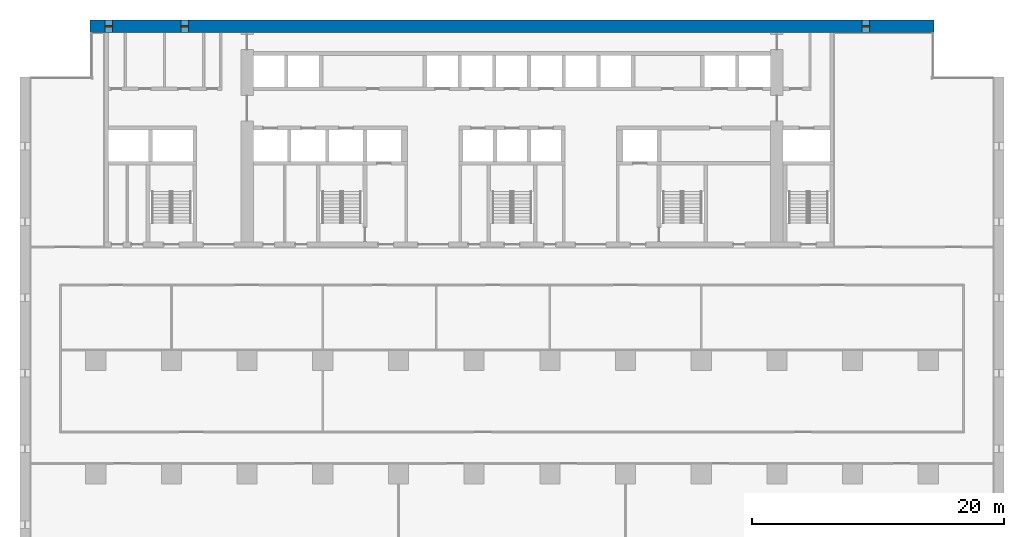
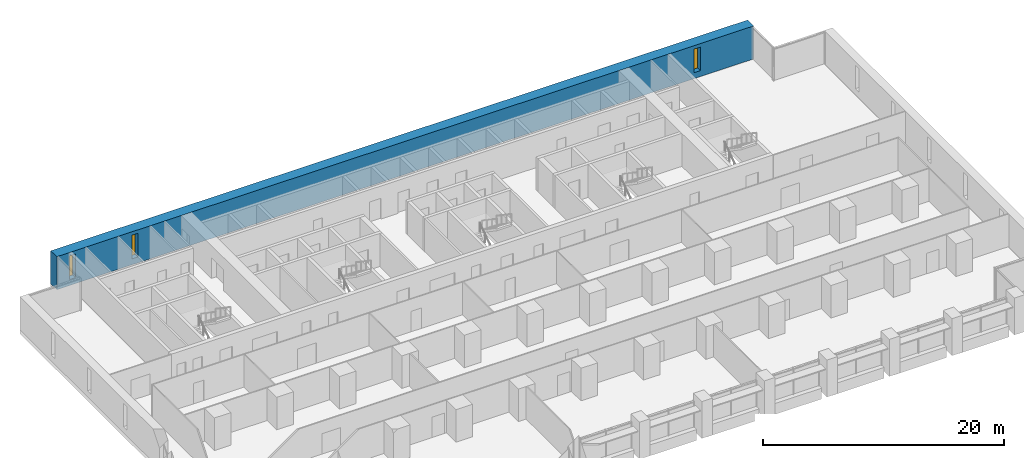
# One storey, part 12 of 17: 3 windows, 1 wall, 3 openings.
"""IFC4 building model written with IfcOpenShell, lengths in metres."""

from ifc_helpers import new_model, si_unit, direction, frame, frame_2d, origin, place, context, subcontext, project, spatial, rectangle, extrude, material, layer, layer_set, type_object, element, fill, save


model = new_model("IFC4")

# Units and contexts
model_context = context("Model", 3, precision=1e-05, world=origin(), true_north=direction((0.0, 1.0)))
body_context = subcontext(model_context, "Body", "Model", "MODEL_VIEW")
ifc_project = project(units=[si_unit("LENGTHUNIT", "METRE"), si_unit("AREAUNIT", "SQUARE_METRE"), si_unit("VOLUMEUNIT", "CUBIC_METRE"), si_unit("PLANEANGLEUNIT", "RADIAN"), si_unit("MASSUNIT", "GRAM", prefix="KILO")], contexts=[model_context])

# Site, building, storey
site_placement = place(None, origin())
site = spatial("IfcSite", under=ifc_project, at=site_placement, CompositionType="ELEMENT")
building_placement = place(site_placement, origin())
building = spatial("IfcBuilding", under=site, at=building_placement, Name="Calvaro Tower", CompositionType="ELEMENT")
storey_placement = place(building_placement, frame((0.0, 0.0, 67.5)))
storey = spatial("IfcBuildingStorey", under=building, at=storey_placement, Name="L16", CompositionType="ELEMENT", Elevation=67.5)

# Wall, openings, windows
ifc_material_1 = material(Name="Concrete C80/95", Category="concrete")
ifc_layer = layer(ifc_material_1, 1.0)
ifc_layer_set = layer_set([ifc_layer], Name="Concrete C80/95")
wall_type = type_object("IfcWallType", Name="Rear core wall 1000 C80/95", PredefinedType="SHEAR", material=ifc_layer_set)
wall_placement = place(storey_placement, frame((5.550048828125, 45.5, 0.0), z_axis=(0.0, 0.0, 1.0), x_axis=(1.0, 0.0, 0.0)))
wall = element("IfcWall", 1, at=wall_placement, inside=storey, type_object=wall_type, Name="North core wall", PredefinedType="SHEAR", context=body_context, shape_type="SweptSolid", body=[
    extrude(rectangle(XDim=66.89990234375, YDim=1.0, at=frame_2d((33.449951171875, 0.0))), origin(), (0.0, 0.0, 1.0), 3.35009765625),
])
opening_1_placement = place(wall_placement, frame((1.199951171875, 0.0, 0.60009765625)))
opening_1 = element("IfcOpeningElement", 2, at=opening_1_placement, cuts=wall, Name="Opening WN01", PredefinedType="OPENING", context=body_context, shape_type="SweptSolid", body=[
    extrude(rectangle(XDim=0.60009765625, YDim=2.39990234375, at=frame_2d((0.300048828125, 1.199951171875))), frame((0.0, 0.510009765625, 0.0), z_axis=(0.0, -1.0, 0.0), x_axis=(1.0, 0.0, 0.0)), (0.0, 0.0, 1.0), 1.02001953125),
])
opening_2_placement = place(wall_placement, frame((7.199951171875, 0.0, 0.60009765625)))
opening_2 = element("IfcOpeningElement", 3, at=opening_2_placement, cuts=wall, Name="Opening WN02", PredefinedType="OPENING", context=body_context, shape_type="SweptSolid", body=[
    extrude(rectangle(XDim=0.60009765625, YDim=2.39990234375, at=frame_2d((0.300048828125, 1.199951171875))), frame((0.0, 0.510009765625, 0.0), z_axis=(0.0, -1.0, 0.0), x_axis=(1.0, 0.0, 0.0)), (0.0, 0.0, 1.0), 1.02001953125),
])
opening_3_placement = place(wall_placement, frame((61.199951171875, 0.0, 0.60009765625)))
opening_3 = element("IfcOpeningElement", 4, at=opening_3_placement, cuts=wall, Name="Opening WN11", PredefinedType="OPENING", context=body_context, shape_type="SweptSolid", body=[
    extrude(rectangle(XDim=0.60009765625, YDim=2.39990234375, at=frame_2d((0.300048828125, 1.199951171875))), frame((0.0, 0.510009765625, 0.0), z_axis=(0.0, -1.0, 0.0), x_axis=(1.0, 0.0, 0.0)), (0.0, 0.0, 1.0), 1.02001953125),
])
ifc_material_2 = material(Name="Glass", Category="glass")
window_type = type_object("IfcWindowType", Name="Slit window 600 x 2400", PartitioningType="SINGLE_PANEL", PredefinedType="WINDOW", material=ifc_material_2)
window_1_placement = place(opening_1_placement, origin())
window_1 = element("IfcWindow", 5, at=window_1_placement, inside=storey, type_object=window_type, Name="Window WN01", OverallHeight=2.39990234375, OverallWidth=0.60009765625, PartitioningType="SINGLE_PANEL", PredefinedType="WINDOW", context=body_context, shape_type="SweptSolid", body=[
    extrude(rectangle(XDim=0.60009765625, YDim=2.39990234375, at=frame_2d((0.300048828125, 1.199951171875))), frame((0.0, 0.030029296875, 0.0), z_axis=(0.0, -1.0, 0.0), x_axis=(1.0, 0.0, 0.0)), (0.0, 0.0, 1.0), 0.06005859375),
])
fill(opening_1, window_1)
window_2_placement = place(opening_2_placement, origin())
window_2 = element("IfcWindow", 6, at=window_2_placement, inside=storey, type_object=window_type, Name="Window WN02", OverallHeight=2.39990234375, OverallWidth=0.60009765625, PartitioningType="SINGLE_PANEL", PredefinedType="WINDOW", context=body_context, shape_type="SweptSolid", body=[
    extrude(rectangle(XDim=0.60009765625, YDim=2.39990234375, at=frame_2d((0.300048828125, 1.199951171875))), frame((0.0, 0.030029296875, 0.0), z_axis=(0.0, -1.0, 0.0), x_axis=(1.0, 0.0, 0.0)), (0.0, 0.0, 1.0), 0.06005859375),
])
fill(opening_2, window_2)
window_3_placement = place(opening_3_placement, origin())
window_3 = element("IfcWindow", 7, at=window_3_placement, inside=storey, type_object=window_type, Name="Window WN11", OverallHeight=2.39990234375, OverallWidth=0.60009765625, PartitioningType="SINGLE_PANEL", PredefinedType="WINDOW", context=body_context, shape_type="SweptSolid", body=[
    extrude(rectangle(XDim=0.60009765625, YDim=2.39990234375, at=frame_2d((0.300048828125, 1.199951171875))), frame((0.0, 0.030029296875, 0.0), z_axis=(0.0, -1.0, 0.0), x_axis=(1.0, 0.0, 0.0)), (0.0, 0.0, 1.0), 0.06005859375),
])
fill(opening_3, window_3)

save(model, "model.ifc")
